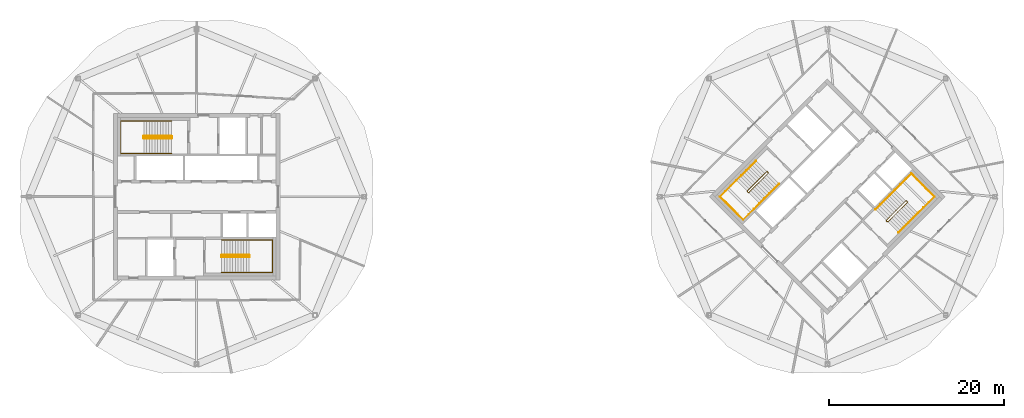
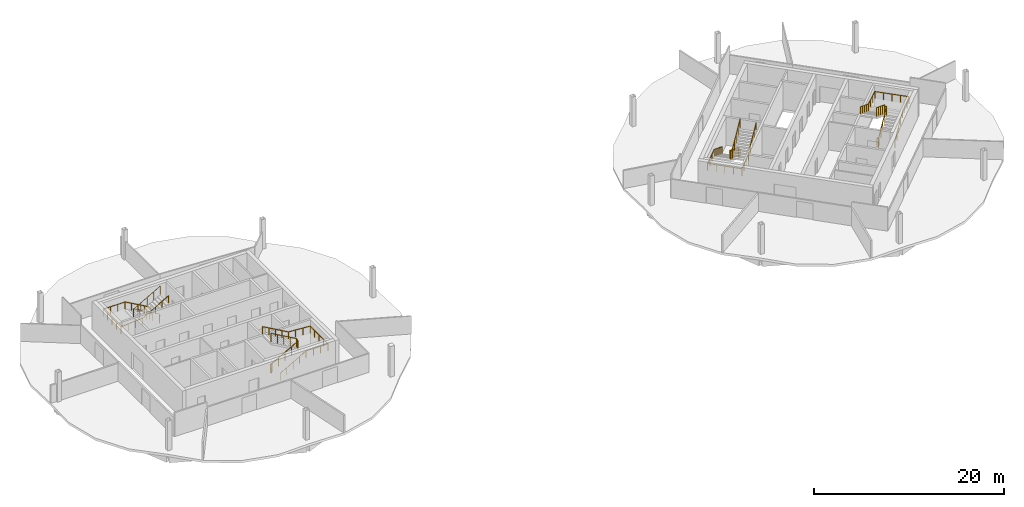
# One storey, part 10 of 10: 8 railings.
"""IFC4 building model written with IfcOpenShell, lengths in metres."""

import ifcopenshell
import ifcopenshell.guid

model = None  # the IFC model being written
_history = None  # IfcOwnerHistory: only IFC2X3 demands one
_inside = {}  # id of a spatial element -> (the spatial element, [elements in it])
_under = {}  # id of a project, library or spatial element -> (it, [spatial elements below it])
_declared = {}  # id of a project -> (the project, [libraries it declares])
_typed = {}  # id of a type object -> (the type object, [elements of that type])
_made_of = {}  # id of a material, layer set ... -> (it, [elements and type objects made of it])


def new_model(schema):
    """Start an empty IFC model of exactly this schema.

    Asked for "IFC4X3", IfcOpenShell would pick the latest addendum, in which some entities
    have other attributes; the version numbers below select the first issue.
    IFC2X3 requires an IfcOwnerHistory on every rooted entity: one is made here for all.
    """
    global model, _history
    if schema == "IFC4X3":
        model = ifcopenshell.file(schema_version=(4, 3, 0, 0))
    else:
        model = ifcopenshell.file(schema=schema)
    _inside.clear()
    _under.clear()
    _declared.clear()
    _typed.clear()
    _made_of.clear()
    _history = None
    if model.schema == "IFC2X3":
        org = make("IfcOrganization", Name="unknown")
        user = make(
            "IfcPersonAndOrganization",
            ThePerson=make("IfcPerson", FamilyName="unknown"),
            TheOrganization=org,
        )
        app = make(
            "IfcApplication",
            ApplicationDeveloper=org,
            Version="unknown",
            ApplicationFullName="unknown",
            ApplicationIdentifier="unknown",
        )
        _history = make(
            "IfcOwnerHistory",
            OwningUser=user,
            OwningApplication=app,
            ChangeAction="ADDED",
            CreationDate=0,
        )
    return model


def make(cls, **values):
    """One entity of the class cls with the attributes given. An attribute that is None is left unset."""
    return model.create_entity(
        cls, **{name: value for name, value in values.items() if value is not None}
    )


def rooted(cls, **values):
    """An entity with a GlobalId (a new one), such as an element, a storey or a relation."""
    return make(cls, GlobalId=ifcopenshell.guid.new(), OwnerHistory=_history, **values)


def si_unit(unit_type, name, prefix=None):
    """IfcSIUnit, for example si_unit("LENGTHUNIT", "METRE", prefix="MILLI")."""
    return make("IfcSIUnit", UnitType=unit_type, Prefix=prefix, Name=name)


def assignment(units):
    """IfcUnitAssignment: the units of a project."""
    return None if units is None else make("IfcUnitAssignment", Units=units)


def point(xyz):
    """IfcCartesianPoint."""
    return None if xyz is None else make("IfcCartesianPoint", Coordinates=xyz)


def direction(xyz):
    """IfcDirection."""
    return None if xyz is None else make("IfcDirection", DirectionRatios=xyz)


def frame(location, z_axis=None, x_axis=None):
    """IfcAxis2Placement3D, a coordinate frame: its origin and axes. An axis left out is left unset."""
    return make(
        "IfcAxis2Placement3D",
        Location=point(location),
        Axis=direction(z_axis),
        RefDirection=direction(x_axis),
    )


def frame_2d(location, x_axis=None):
    """IfcAxis2Placement2D, a coordinate frame in the plane: its origin and x axis."""
    return make(
        "IfcAxis2Placement2D", Location=point(location), RefDirection=direction(x_axis)
    )


def origin():
    """The frame at (0, 0, 0) with its axes left unset."""
    return frame((0.0, 0.0, 0.0))


def origin_2d():
    """The frame at (0, 0) in the plane with its x axis left unset."""
    return frame_2d((0.0, 0.0))


def place(relative_to, where):
    """IfcLocalPlacement: puts the frame where relative to a parent placement (None: the world)."""
    return make(
        "IfcLocalPlacement", PlacementRelTo=relative_to, RelativePlacement=where
    )


def context(
    kind, dimensions, precision=None, world=None, true_north=None, identifier=None
):
    """IfcGeometricRepresentationContext, for example the 3D "Model" context."""
    return make(
        "IfcGeometricRepresentationContext",
        ContextIdentifier=identifier,
        ContextType=kind,
        CoordinateSpaceDimension=dimensions,
        Precision=precision,
        WorldCoordinateSystem=world,
        TrueNorth=true_north,
    )


def subcontext(parent, identifier, kind, view, scale=None):
    """IfcGeometricRepresentationSubContext, for example "Body" below "Model"."""
    return make(
        "IfcGeometricRepresentationSubContext",
        ContextIdentifier=identifier,
        ContextType=kind,
        ParentContext=parent,
        TargetScale=scale,
        TargetView=view,
    )


def project(units=None, contexts=None):
    """IfcProject with its units and contexts."""
    return rooted(
        "IfcProject",
        Name="project",
        RepresentationContexts=contexts,
        UnitsInContext=assignment(units),
    )


def spatial(cls, under=None, at=None, **own):
    """A site, building, storey or space (cls), placed at a placement, below another one or the project."""
    s = rooted(cls, ObjectPlacement=at, **own)
    if under is not None:
        _under.setdefault(under.id(), (under, []))[1].append(s)
    return s


def profile(cls, at=None, kind="AREA", **sizes):
    """A parametric profile (cls). Its sizes go by their IFC names, for example OverallWidth=200.0."""
    return make(cls, ProfileType=kind, Position=at, **sizes)


def circle(**sizes):
    """IfcCircleProfileDef."""
    return profile("IfcCircleProfileDef", **sizes)


def extrude(swept, where, along, depth):
    """IfcExtrudedAreaSolid: the profile swept, set in the frame where, extruded along a direction by depth."""
    return make(
        "IfcExtrudedAreaSolid",
        SweptArea=swept,
        Position=where,
        ExtrudedDirection=direction(along),
        Depth=depth,
    )


def shape(context_of_items, identifier, shape_type, items):
    """IfcShapeRepresentation: the items that make up one representation, for example the "Body"."""
    return make(
        "IfcShapeRepresentation",
        ContextOfItems=context_of_items,
        RepresentationIdentifier=identifier,
        RepresentationType=shape_type,
        Items=items,
    )


def material(Name=None, Category=None):
    """IfcMaterial."""
    return make("IfcMaterial", Name=Name, Category=Category)


def made_of(thing, what):
    """Note that an element or type object is made of a material, layer set ...; save() writes the relation."""
    if what is not None:
        _made_of.setdefault(what.id(), (what, []))[1].append(thing)
    return thing


def type_object(cls, material=None, **own):
    """A type object (cls), such as IfcWallType, which elements share."""
    return made_of(rooted(cls, **own), material)


def element(
    cls,
    number,
    at=None,
    inside=None,
    cuts=None,
    type_object=None,
    material=None,
    context=None,
    identifier="Body",
    shape_type=None,
    held_by="IfcProductDefinitionShape",
    body=None,
    shapes=None,
    **own,
):
    """One element of the class cls, such as IfcWall. Its Tag is "e" and its number.

    at: its placement. inside: the storey or other place that contains it. cuts: it is an
    opening in that element (IfcRelVoidsElement). A single representation is given by context,
    identifier, shape_type and body (its items); several are given by shapes. held_by: the class
    of the entity that holds the representations. save() writes the other relations.
    """
    e = rooted(cls, Tag="e%d" % number, ObjectPlacement=at, **own)
    if body is not None:
        shapes = [shape(context, identifier, shape_type, body)]
    if shapes is not None:
        e.Representation = make(held_by, Representations=shapes)
    if inside is not None:
        _inside.setdefault(inside.id(), (inside, []))[1].append(e)
    if cuts is not None:
        rooted(
            "IfcRelVoidsElement", RelatingBuildingElement=cuts, RelatedOpeningElement=e
        )
    if type_object is not None:
        _typed.setdefault(type_object.id(), (type_object, []))[1].append(e)
    return made_of(e, material)


def aggregate(whole, parts):
    """IfcRelAggregates: a whole, such as a stair, and the parts it consists of."""
    return rooted("IfcRelAggregates", RelatingObject=whole, RelatedObjects=parts)


def save(model, path):
    """Write the relations noted so far, then the file.

    IfcRelAggregates (storeys below a building ...), IfcRelContainedInSpatialStructure (elements
    in a storey), IfcRelDefinesByType, IfcRelAssociatesMaterial and IfcRelDeclares: one each for
    every whole, place, type object, material and project.
    """
    for whole, parts in _under.values():
        aggregate(whole, parts)
    for where, things in _inside.values():
        rooted(
            "IfcRelContainedInSpatialStructure",
            RelatedElements=things,
            RelatingStructure=where,
        )
    for kind, things in _typed.values():
        rooted("IfcRelDefinesByType", RelatedObjects=things, RelatingType=kind)
    for what, things in _made_of.values():
        rooted("IfcRelAssociatesMaterial", RelatedObjects=things, RelatingMaterial=what)
    for by, libraries in _declared.values():
        rooted("IfcRelDeclares", RelatingContext=by, RelatedDefinitions=libraries)
    model.write(path)


model = new_model("IFC4")

# Units and contexts
model_context = context("Model", 3, precision=1e-05, world=origin(), true_north=direction((0.0, 1.0)))
body_context = subcontext(model_context, "Body", "Model", "MODEL_VIEW")
ifc_project = project(units=[si_unit("LENGTHUNIT", "METRE"), si_unit("AREAUNIT", "SQUARE_METRE"), si_unit("VOLUMEUNIT", "CUBIC_METRE"), si_unit("PLANEANGLEUNIT", "RADIAN"), si_unit("MASSUNIT", "GRAM", prefix="KILO")], contexts=[model_context])

# Site, building, storey
site_placement = place(None, origin())
site = spatial("IfcSite", under=ifc_project, at=site_placement, CompositionType="ELEMENT")
building_placement = place(site_placement, origin())
building = spatial("IfcBuilding", under=site, at=building_placement, Name="Ogive Gate Towers", CompositionType="ELEMENT")
storey_placement = place(building_placement, frame((0.0, 0.0, 236.699951171875)))
storey = spatial("IfcBuildingStorey", under=building, at=storey_placement, Name="L56", CompositionType="ELEMENT", Elevation=236.699951171875)

# Railings
ifc_material = material(Name="Stainless steel", Category="steel")
railing_type_1 = type_object("IfcRailingType", Name="Stair guard 1100", PredefinedType="GUARDRAIL", material=ifc_material)
railing_1_placement = place(storey_placement, frame((-38.81494140625, 6.860107421875, 0.0)))
element("IfcRailing", 1, at=railing_1_placement, inside=storey, type_object=railing_type_1, Name="L56 ST1 stair guard 1", PredefinedType="GUARDRAIL", context=body_context, shape_type="SweptSolid", body=[
    extrude(circle(Radius=0.02392578125, at=origin_2d()), frame((0.0, 0.0, 1.076171875), z_axis=(0.0, -1.0, 0.0), x_axis=(1.0, 0.0, 0.0)), (0.0, 0.0, 1.0), 0.14501953125),
    extrude(circle(Radius=0.02392578125, at=origin_2d()), frame((0.0, -0.14501953125, 1.076171875), z_axis=(-0.186679794065, 0.726685247142, 0.661119660934), x_axis=(-0.968551454522, -0.24881334358, 0.0)), (0.0, 0.0, 1.0), 0.26806640625),
    extrude(circle(Radius=0.02392578125, at=origin_2d()), frame((-0.050048828125, 0.0498046875, 1.25341796875), z_axis=(-0.870572935281, 0.0, 0.492039393094), x_axis=(0.0, -1.0, 0.0)), (0.0, 0.0, 1.0), 3.602783203125),
    extrude(circle(Radius=0.02392578125, at=origin_2d()), frame((-3.1865234375, 0.0498046875, 3.02587890625), z_axis=(-0.707106781187, -0.707106781187, 0.0), x_axis=(0.707106781187, -0.707106781187, 0.0)), (0.0, 0.0, 1.0), 0.0703125),
    extrude(circle(Radius=0.02392578125, at=origin_2d()), frame((-3.236328125, 0.0, 3.02587890625), z_axis=(0.0, -1.0, 0.0), x_axis=(1.0, 0.0, 0.0)), (0.0, 0.0, 1.0), 0.14501953125),
    extrude(circle(Radius=0.02392578125, at=origin_2d()), frame((-3.236328125, -0.14501953125, 3.02587890625), z_axis=(0.260731885961, -0.262009983441, 0.929176868105), x_axis=(0.708833529934, 0.705375805398, 0.0)), (0.0, 0.0, 1.0), 0.19091796875),
    extrude(circle(Radius=0.02392578125, at=origin_2d()), frame((-3.1865234375, -0.195068359375, 3.20361328125), z_axis=(0.870572935281, 0.0, 0.492039393094), x_axis=(0.0, 1.0, 0.0)), (0.0, 0.0, 1.0), 3.602783203125),
    extrude(circle(Radius=0.02099609375, at=origin_2d()), origin(), (0.0, 0.0, 1.0), 1.052001953125),
    extrude(circle(Radius=0.02099609375, at=origin_2d()), frame((0.0, -0.14501953125, 0.0)), (0.0, 0.0, 1.0), 1.052001953125),
    extrude(circle(Radius=0.02099609375, at=origin_2d()), frame((-0.050048828125, 0.0498046875, 0.17724609375)), (0.0, 0.0, 1.0), 1.052001953125),
    extrude(circle(Radius=0.02099609375, at=origin_2d()), frame((-0.834228515625, 0.0498046875, 0.620361328125)), (0.0, 0.0, 1.0), 1.052001953125),
    extrude(circle(Radius=0.02099609375, at=origin_2d()), frame((-1.6181640625, 0.0498046875, 1.0634765625)), (0.0, 0.0, 1.0), 1.052001953125),
    extrude(circle(Radius=0.02099609375, at=origin_2d()), frame((-2.40234375, 0.0498046875, 1.5068359375)), (0.0, 0.0, 1.0), 1.052001953125),
    extrude(circle(Radius=0.02099609375, at=origin_2d()), frame((-3.1865234375, 0.0498046875, 1.949951171875)), (0.0, 0.0, 1.0), 1.052001953125),
    extrude(circle(Radius=0.02099609375, at=origin_2d()), frame((-3.236328125, 0.0, 1.949951171875)), (0.0, 0.0, 1.0), 1.052001953125),
    extrude(circle(Radius=0.02099609375, at=origin_2d()), frame((-3.236328125, -0.14501953125, 1.949951171875)), (0.0, 0.0, 1.0), 1.052001953125),
    extrude(circle(Radius=0.02099609375, at=origin_2d()), frame((-3.1865234375, -0.195068359375, 2.12744140625)), (0.0, 0.0, 1.0), 1.052001953125),
    extrude(circle(Radius=0.02099609375, at=origin_2d()), frame((-2.40234375, -0.195068359375, 2.570556640625)), (0.0, 0.0, 1.0), 1.052001953125),
    extrude(circle(Radius=0.02099609375, at=origin_2d()), frame((-1.6181640625, -0.195068359375, 3.013671875)), (0.0, 0.0, 1.0), 1.052001953125),
    extrude(circle(Radius=0.02099609375, at=origin_2d()), frame((-0.834228515625, -0.195068359375, 3.45703125)), (0.0, 0.0, 1.0), 1.052001953125),
    extrude(circle(Radius=0.02099609375, at=origin_2d()), frame((-0.050048828125, -0.195068359375, 3.900146484375)), (0.0, 0.0, 1.0), 1.052001953125),
])
railing_2_placement = place(storey_placement, frame((-33.18505859375, -6.860107421875, 0.0)))
element("IfcRailing", 2, at=railing_2_placement, inside=storey, type_object=railing_type_1, Name="L56 ST2 stair guard 1", PredefinedType="GUARDRAIL", context=body_context, shape_type="SweptSolid", body=[
    extrude(circle(Radius=0.02392578125, at=origin_2d()), frame((0.0, 0.0, 1.076171875), z_axis=(0.0, 1.0, 0.0), x_axis=(-1.0, 0.0, 0.0)), (0.0, 0.0, 1.0), 0.14501953125),
    extrude(circle(Radius=0.02392578125, at=origin_2d()), frame((0.0, 0.14501953125, 1.076171875), z_axis=(0.186679794065, -0.726685247142, 0.661119660934), x_axis=(0.968551454522, 0.24881334358, 0.0)), (0.0, 0.0, 1.0), 0.26806640625),
    extrude(circle(Radius=0.02392578125, at=origin_2d()), frame((0.050048828125, -0.0498046875, 1.25341796875), z_axis=(0.870572935281, 0.0, 0.492039393094), x_axis=(0.0, 1.0, 0.0)), (0.0, 0.0, 1.0), 3.602783203125),
    extrude(circle(Radius=0.02392578125, at=origin_2d()), frame((3.1865234375, -0.0498046875, 3.02587890625), z_axis=(0.707106781187, 0.707106781187, 0.0), x_axis=(-0.707106781187, 0.707106781187, 0.0)), (0.0, 0.0, 1.0), 0.0703125),
    extrude(circle(Radius=0.02392578125, at=origin_2d()), frame((3.236328125, 0.0, 3.02587890625), z_axis=(0.0, 1.0, 0.0), x_axis=(-1.0, 0.0, 0.0)), (0.0, 0.0, 1.0), 0.14501953125),
    extrude(circle(Radius=0.02392578125, at=origin_2d()), frame((3.236328125, 0.14501953125, 3.02587890625), z_axis=(-0.260731885961, 0.262009983441, 0.929176868105), x_axis=(-0.708833529934, -0.705375805398, 0.0)), (0.0, 0.0, 1.0), 0.19091796875),
    extrude(circle(Radius=0.02392578125, at=origin_2d()), frame((3.1865234375, 0.195068359375, 3.20361328125), z_axis=(-0.870572935281, 0.0, 0.492039393094), x_axis=(0.0, -1.0, 0.0)), (0.0, 0.0, 1.0), 3.602783203125),
    extrude(circle(Radius=0.02099609375, at=origin_2d()), origin(), (0.0, 0.0, 1.0), 1.052001953125),
    extrude(circle(Radius=0.02099609375, at=origin_2d()), frame((0.0, 0.14501953125, 0.0)), (0.0, 0.0, 1.0), 1.052001953125),
    extrude(circle(Radius=0.02099609375, at=origin_2d()), frame((0.050048828125, -0.0498046875, 0.17724609375)), (0.0, 0.0, 1.0), 1.052001953125),
    extrude(circle(Radius=0.02099609375, at=origin_2d()), frame((0.834228515625, -0.0498046875, 0.620361328125)), (0.0, 0.0, 1.0), 1.052001953125),
    extrude(circle(Radius=0.02099609375, at=origin_2d()), frame((1.6181640625, -0.0498046875, 1.0634765625)), (0.0, 0.0, 1.0), 1.052001953125),
    extrude(circle(Radius=0.02099609375, at=origin_2d()), frame((2.40234375, -0.0498046875, 1.5068359375)), (0.0, 0.0, 1.0), 1.052001953125),
    extrude(circle(Radius=0.02099609375, at=origin_2d()), frame((3.1865234375, -0.0498046875, 1.949951171875)), (0.0, 0.0, 1.0), 1.052001953125),
    extrude(circle(Radius=0.02099609375, at=origin_2d()), frame((3.236328125, 0.0, 1.949951171875)), (0.0, 0.0, 1.0), 1.052001953125),
    extrude(circle(Radius=0.02099609375, at=origin_2d()), frame((3.236328125, 0.14501953125, 1.949951171875)), (0.0, 0.0, 1.0), 1.052001953125),
    extrude(circle(Radius=0.02099609375, at=origin_2d()), frame((3.1865234375, 0.195068359375, 2.12744140625)), (0.0, 0.0, 1.0), 1.052001953125),
    extrude(circle(Radius=0.02099609375, at=origin_2d()), frame((2.40234375, 0.195068359375, 2.570556640625)), (0.0, 0.0, 1.0), 1.052001953125),
    extrude(circle(Radius=0.02099609375, at=origin_2d()), frame((1.6181640625, 0.195068359375, 3.013671875)), (0.0, 0.0, 1.0), 1.052001953125),
    extrude(circle(Radius=0.02099609375, at=origin_2d()), frame((0.834228515625, 0.195068359375, 3.45703125)), (0.0, 0.0, 1.0), 1.052001953125),
    extrude(circle(Radius=0.02099609375, at=origin_2d()), frame((0.050048828125, 0.195068359375, 3.900146484375)), (0.0, 0.0, 1.0), 1.052001953125),
])
railing_3_placement = place(storey_placement, frame((29.15869140625, 2.8603515625, 0.0)))
element("IfcRailing", 3, at=railing_3_placement, inside=storey, type_object=railing_type_1, Name="L56 ST1 stair guard 1", PredefinedType="GUARDRAIL", context=body_context, shape_type="SweptSolid", body=[
    extrude(circle(Radius=0.02392578125, at=origin_2d()), frame((0.0, 0.0, 1.076171875), z_axis=(0.707106781187, -0.707106781187, 0.0), x_axis=(0.707106781187, 0.707106781187, 0.0)), (0.0, 0.0, 1.0), 0.14501953125),
    extrude(circle(Radius=0.02392578125, at=origin_2d()), frame((0.1025390625, -0.1025390625, 1.076171875), z_axis=(-0.645571447971, 0.382425963537, 0.661050594114), x_axis=(-0.509669330572, -0.860370369942, 0.0)), (0.0, 0.0, 1.0), 0.26806640625),
    extrude(circle(Radius=0.02392578125, at=origin_2d()), frame((-0.070556640625, 0.0, 1.25341796875), z_axis=(-0.61558473135, -0.61558473135, 0.49204763698), x_axis=(0.707106781187, -0.707106781187, 0.0)), (0.0, 0.0, 1.0), 3.602783203125),
    extrude(circle(Radius=0.02392578125, at=origin_2d()), frame((-2.288330078125, -2.2177734375, 3.02587890625), z_axis=(0.0, -1.0, 0.0), x_axis=(1.0, 0.0, 0.0)), (0.0, 0.0, 1.0), 0.07080078125),
    extrude(circle(Radius=0.02392578125, at=origin_2d()), frame((-2.288330078125, -2.28857421875, 3.02587890625), z_axis=(0.707106781187, -0.707106781187, 0.0), x_axis=(0.707106781187, 0.707106781187, 0.0)), (0.0, 0.0, 1.0), 0.14501953125),
    extrude(circle(Radius=0.02392578125, at=origin_2d()), frame((-2.185791015625, -2.39111328125, 3.02587890625), z_axis=(0.369406379806, 0.0, 0.92926795197), x_axis=(0.0, 1.0, 0.0)), (0.0, 0.0, 1.0), 0.19091796875),
    extrude(circle(Radius=0.02392578125, at=origin_2d()), frame((-2.115234375, -2.39111328125, 3.20361328125), z_axis=(0.61558473135, 0.61558473135, 0.49204763698), x_axis=(-0.707106781187, 0.707106781187, 0.0)), (0.0, 0.0, 1.0), 3.602783203125),
    extrude(circle(Radius=0.02099609375, at=origin_2d()), origin(), (0.0, 0.0, 1.0), 1.052001953125),
    extrude(circle(Radius=0.02099609375, at=origin_2d()), frame((0.1025390625, -0.1025390625, 0.0)), (0.0, 0.0, 1.0), 1.052001953125),
    extrude(circle(Radius=0.02099609375, at=origin_2d()), frame((-0.070556640625, 0.0, 0.17724609375)), (0.0, 0.0, 1.0), 1.052001953125),
    extrude(circle(Radius=0.02099609375, at=origin_2d()), frame((-0.625, -0.554443359375, 0.620361328125)), (0.0, 0.0, 1.0), 1.052001953125),
    extrude(circle(Radius=0.02099609375, at=origin_2d()), frame((-1.179443359375, -1.10888671875, 1.0634765625)), (0.0, 0.0, 1.0), 1.052001953125),
    extrude(circle(Radius=0.02099609375, at=origin_2d()), frame((-1.73388671875, -1.663330078125, 1.5068359375)), (0.0, 0.0, 1.0), 1.052001953125),
    extrude(circle(Radius=0.02099609375, at=origin_2d()), frame((-2.288330078125, -2.2177734375, 1.949951171875)), (0.0, 0.0, 1.0), 1.052001953125),
    extrude(circle(Radius=0.02099609375, at=origin_2d()), frame((-2.288330078125, -2.28857421875, 1.949951171875)), (0.0, 0.0, 1.0), 1.052001953125),
    extrude(circle(Radius=0.02099609375, at=origin_2d()), frame((-2.185791015625, -2.39111328125, 1.949951171875)), (0.0, 0.0, 1.0), 1.052001953125),
    extrude(circle(Radius=0.02099609375, at=origin_2d()), frame((-2.115234375, -2.39111328125, 2.12744140625)), (0.0, 0.0, 1.0), 1.052001953125),
    extrude(circle(Radius=0.02099609375, at=origin_2d()), frame((-1.560791015625, -1.836669921875, 2.570556640625)), (0.0, 0.0, 1.0), 1.052001953125),
    extrude(circle(Radius=0.02099609375, at=origin_2d()), frame((-1.00634765625, -1.2822265625, 3.013671875)), (0.0, 0.0, 1.0), 1.052001953125),
    extrude(circle(Radius=0.02099609375, at=origin_2d()), frame((-0.451904296875, -0.727783203125, 3.45703125)), (0.0, 0.0, 1.0), 1.052001953125),
    extrude(circle(Radius=0.02099609375, at=origin_2d()), frame((0.1025390625, -0.17333984375, 3.900146484375)), (0.0, 0.0, 1.0), 1.052001953125),
])
railing_4_placement = place(storey_placement, frame((42.84130859375, -2.8603515625, 0.0)))
element("IfcRailing", 4, at=railing_4_placement, inside=storey, type_object=railing_type_1, Name="L56 ST2 stair guard 1", PredefinedType="GUARDRAIL", context=body_context, shape_type="SweptSolid", body=[
    extrude(circle(Radius=0.02392578125, at=origin_2d()), frame((0.0, 0.0, 1.076171875), z_axis=(-0.707106781187, 0.707106781187, 0.0), x_axis=(-0.707106781187, -0.707106781187, 0.0)), (0.0, 0.0, 1.0), 0.14501953125),
    extrude(circle(Radius=0.02392578125, at=origin_2d()), frame((-0.1025390625, 0.1025390625, 1.076171875), z_axis=(0.645571447971, -0.382425963537, 0.661050594114), x_axis=(0.509669330572, 0.860370369942, 0.0)), (0.0, 0.0, 1.0), 0.26806640625),
    extrude(circle(Radius=0.02392578125, at=origin_2d()), frame((0.070556640625, 0.0, 1.25341796875), z_axis=(0.61558473135, 0.61558473135, 0.49204763698), x_axis=(-0.707106781187, 0.707106781187, 0.0)), (0.0, 0.0, 1.0), 3.602783203125),
    extrude(circle(Radius=0.02392578125, at=origin_2d()), frame((2.288330078125, 2.2177734375, 3.02587890625), z_axis=(0.0, 1.0, 0.0), x_axis=(-1.0, 0.0, 0.0)), (0.0, 0.0, 1.0), 0.07080078125),
    extrude(circle(Radius=0.02392578125, at=origin_2d()), frame((2.288330078125, 2.28857421875, 3.02587890625), z_axis=(-0.707106781187, 0.707106781187, 0.0), x_axis=(-0.707106781187, -0.707106781187, 0.0)), (0.0, 0.0, 1.0), 0.14501953125),
    extrude(circle(Radius=0.02392578125, at=origin_2d()), frame((2.185791015625, 2.39111328125, 3.02587890625), z_axis=(-0.369406379806, 0.0, 0.92926795197), x_axis=(0.0, -1.0, 0.0)), (0.0, 0.0, 1.0), 0.19091796875),
    extrude(circle(Radius=0.02392578125, at=origin_2d()), frame((2.115234375, 2.39111328125, 3.20361328125), z_axis=(-0.61558473135, -0.61558473135, 0.49204763698), x_axis=(0.707106781187, -0.707106781187, 0.0)), (0.0, 0.0, 1.0), 3.602783203125),
    extrude(circle(Radius=0.02099609375, at=origin_2d()), origin(), (0.0, 0.0, 1.0), 1.052001953125),
    extrude(circle(Radius=0.02099609375, at=origin_2d()), frame((-0.1025390625, 0.1025390625, 0.0)), (0.0, 0.0, 1.0), 1.052001953125),
    extrude(circle(Radius=0.02099609375, at=origin_2d()), frame((0.070556640625, 0.0, 0.17724609375)), (0.0, 0.0, 1.0), 1.052001953125),
    extrude(circle(Radius=0.02099609375, at=origin_2d()), frame((0.625, 0.554443359375, 0.620361328125)), (0.0, 0.0, 1.0), 1.052001953125),
    extrude(circle(Radius=0.02099609375, at=origin_2d()), frame((1.179443359375, 1.10888671875, 1.0634765625)), (0.0, 0.0, 1.0), 1.052001953125),
    extrude(circle(Radius=0.02099609375, at=origin_2d()), frame((1.73388671875, 1.663330078125, 1.5068359375)), (0.0, 0.0, 1.0), 1.052001953125),
    extrude(circle(Radius=0.02099609375, at=origin_2d()), frame((2.288330078125, 2.2177734375, 1.949951171875)), (0.0, 0.0, 1.0), 1.052001953125),
    extrude(circle(Radius=0.02099609375, at=origin_2d()), frame((2.288330078125, 2.28857421875, 1.949951171875)), (0.0, 0.0, 1.0), 1.052001953125),
    extrude(circle(Radius=0.02099609375, at=origin_2d()), frame((2.185791015625, 2.39111328125, 1.949951171875)), (0.0, 0.0, 1.0), 1.052001953125),
    extrude(circle(Radius=0.02099609375, at=origin_2d()), frame((2.115234375, 2.39111328125, 2.12744140625)), (0.0, 0.0, 1.0), 1.052001953125),
    extrude(circle(Radius=0.02099609375, at=origin_2d()), frame((1.560791015625, 1.836669921875, 2.570556640625)), (0.0, 0.0, 1.0), 1.052001953125),
    extrude(circle(Radius=0.02099609375, at=origin_2d()), frame((1.00634765625, 1.2822265625, 3.013671875)), (0.0, 0.0, 1.0), 1.052001953125),
    extrude(circle(Radius=0.02099609375, at=origin_2d()), frame((0.451904296875, 0.727783203125, 3.45703125)), (0.0, 0.0, 1.0), 1.052001953125),
    extrude(circle(Radius=0.02099609375, at=origin_2d()), frame((-0.1025390625, 0.17333984375, 3.900146484375)), (0.0, 0.0, 1.0), 1.052001953125),
])
railing_type_2 = type_object("IfcRailingType", Name="Stair handrail 900", PredefinedType="HANDRAIL", material=ifc_material)
railing_5_placement = place(storey_placement, frame((-38.864990234375, 8.64990234375, 0.17724609375)))
element("IfcRailing", 5, at=railing_5_placement, inside=storey, type_object=railing_type_2, Name="L56 ST1 stair handrail 1", PredefinedType="HANDRAIL", context=body_context, shape_type="SweptSolid", body=[
    extrude(circle(Radius=0.02392578125, at=origin_2d()), frame((0.0, 0.0, 0.8759765625), z_axis=(-0.870572935281, 0.0, 0.492039393094), x_axis=(0.0, -1.0, 0.0)), (0.0, 0.0, 1.0), 3.602783203125),
    extrude(circle(Radius=0.02392578125, at=origin_2d()), frame((-3.136474609375, 0.0, 2.6484375), z_axis=(-1.0, 0.0, 0.0), x_axis=(0.0, -1.0, 0.0)), (0.0, 0.0, 1.0), 2.6484375),
    extrude(circle(Radius=0.02392578125, at=origin_2d()), frame((-5.784912109375, 0.0, 2.6484375), z_axis=(0.0, -1.0, 0.0), x_axis=(1.0, 0.0, 0.0)), (0.0, 0.0, 1.0), 3.724853515625),
    extrude(circle(Radius=0.02392578125, at=origin_2d()), frame((-5.784912109375, -3.724853515625, 2.6484375), z_axis=(0.997761899551, 0.0, 0.06686697096), x_axis=(0.0, 1.0, 0.0)), (0.0, 0.0, 1.0), 2.654296875),
    extrude(circle(Radius=0.02392578125, at=origin_2d()), frame((-3.136474609375, -3.724853515625, 2.826171875), z_axis=(0.870572935281, 0.0, 0.492039393094), x_axis=(0.0, 1.0, 0.0)), (0.0, 0.0, 1.0), 3.602783203125),
    extrude(circle(Radius=0.02099609375, at=origin_2d()), origin(), (0.0, 0.0, 1.0), 0.851806640625),
    extrude(circle(Radius=0.02099609375, at=origin_2d()), frame((-0.7841796875, 0.0, 0.443115234375)), (0.0, 0.0, 1.0), 0.851806640625),
    extrude(circle(Radius=0.02099609375, at=origin_2d()), frame((-1.568359375, 0.0, 0.88623046875)), (0.0, 0.0, 1.0), 0.851806640625),
    extrude(circle(Radius=0.02099609375, at=origin_2d()), frame((-2.352294921875, 0.0, 1.32958984375)), (0.0, 0.0, 1.0), 0.851806640625),
    extrude(circle(Radius=0.02099609375, at=origin_2d()), frame((-3.136474609375, 0.0, 1.772705078125)), (0.0, 0.0, 1.0), 0.851806640625),
    extrude(circle(Radius=0.02099609375, at=origin_2d()), frame((-4.019287109375, 0.0, 1.772705078125)), (0.0, 0.0, 1.0), 0.851806640625),
    extrude(circle(Radius=0.02099609375, at=origin_2d()), frame((-4.902099609375, 0.0, 1.772705078125)), (0.0, 0.0, 1.0), 0.851806640625),
    extrude(circle(Radius=0.02099609375, at=origin_2d()), frame((-5.784912109375, 0.0, 1.772705078125)), (0.0, 0.0, 1.0), 0.851806640625),
    extrude(circle(Radius=0.02099609375, at=origin_2d()), frame((-5.784912109375, -0.93115234375, 1.772705078125)), (0.0, 0.0, 1.0), 0.851806640625),
    extrude(circle(Radius=0.02099609375, at=origin_2d()), frame((-5.784912109375, -1.8623046875, 1.772705078125)), (0.0, 0.0, 1.0), 0.851806640625),
    extrude(circle(Radius=0.02099609375, at=origin_2d()), frame((-5.784912109375, -2.793701171875, 1.772705078125)), (0.0, 0.0, 1.0), 0.851806640625),
    extrude(circle(Radius=0.02099609375, at=origin_2d()), frame((-5.784912109375, -3.724853515625, 1.772705078125)), (0.0, 0.0, 1.0), 0.851806640625),
    extrude(circle(Radius=0.02099609375, at=origin_2d()), frame((-4.902099609375, -3.724853515625, 1.831787109375)), (0.0, 0.0, 1.0), 0.851806640625),
    extrude(circle(Radius=0.02099609375, at=origin_2d()), frame((-4.019287109375, -3.724853515625, 1.89111328125)), (0.0, 0.0, 1.0), 0.851806640625),
    extrude(circle(Radius=0.02099609375, at=origin_2d()), frame((-3.136474609375, -3.724853515625, 1.9501953125)), (0.0, 0.0, 1.0), 0.851806640625),
    extrude(circle(Radius=0.02099609375, at=origin_2d()), frame((-2.352294921875, -3.724853515625, 2.393310546875)), (0.0, 0.0, 1.0), 0.851806640625),
    extrude(circle(Radius=0.02099609375, at=origin_2d()), frame((-1.568359375, -3.724853515625, 2.83642578125)), (0.0, 0.0, 1.0), 0.851806640625),
    extrude(circle(Radius=0.02099609375, at=origin_2d()), frame((-0.7841796875, -3.724853515625, 3.27978515625)), (0.0, 0.0, 1.0), 0.851806640625),
    extrude(circle(Radius=0.02099609375, at=origin_2d()), frame((0.0, -3.724853515625, 3.722900390625)), (0.0, 0.0, 1.0), 0.851806640625),
])
railing_6_placement = place(storey_placement, frame((-33.135009765625, -8.64990234375, 0.17724609375)))
element("IfcRailing", 6, at=railing_6_placement, inside=storey, type_object=railing_type_2, Name="L56 ST2 stair handrail 1", PredefinedType="HANDRAIL", context=body_context, shape_type="SweptSolid", body=[
    extrude(circle(Radius=0.02392578125, at=origin_2d()), frame((0.0, 0.0, 0.8759765625), z_axis=(0.870572935281, 0.0, 0.492039393094), x_axis=(0.0, 1.0, 0.0)), (0.0, 0.0, 1.0), 3.602783203125),
    extrude(circle(Radius=0.02392578125, at=origin_2d()), frame((3.136474609375, 0.0, 2.6484375), z_axis=(1.0, 0.0, 0.0), x_axis=(0.0, 1.0, 0.0)), (0.0, 0.0, 1.0), 2.6484375),
    extrude(circle(Radius=0.02392578125, at=origin_2d()), frame((5.784912109375, 0.0, 2.6484375), z_axis=(0.0, 1.0, 0.0), x_axis=(-1.0, 0.0, 0.0)), (0.0, 0.0, 1.0), 3.724853515625),
    extrude(circle(Radius=0.02392578125, at=origin_2d()), frame((5.784912109375, 3.724853515625, 2.6484375), z_axis=(-0.997761899551, 0.0, 0.06686697096), x_axis=(0.0, -1.0, 0.0)), (0.0, 0.0, 1.0), 2.654296875),
    extrude(circle(Radius=0.02392578125, at=origin_2d()), frame((3.136474609375, 3.724853515625, 2.826171875), z_axis=(-0.870572935281, 0.0, 0.492039393094), x_axis=(0.0, -1.0, 0.0)), (0.0, 0.0, 1.0), 3.602783203125),
    extrude(circle(Radius=0.02099609375, at=origin_2d()), origin(), (0.0, 0.0, 1.0), 0.851806640625),
    extrude(circle(Radius=0.02099609375, at=origin_2d()), frame((0.7841796875, 0.0, 0.443115234375)), (0.0, 0.0, 1.0), 0.851806640625),
    extrude(circle(Radius=0.02099609375, at=origin_2d()), frame((1.568359375, 0.0, 0.88623046875)), (0.0, 0.0, 1.0), 0.851806640625),
    extrude(circle(Radius=0.02099609375, at=origin_2d()), frame((2.352294921875, 0.0, 1.32958984375)), (0.0, 0.0, 1.0), 0.851806640625),
    extrude(circle(Radius=0.02099609375, at=origin_2d()), frame((3.136474609375, 0.0, 1.772705078125)), (0.0, 0.0, 1.0), 0.851806640625),
    extrude(circle(Radius=0.02099609375, at=origin_2d()), frame((4.019287109375, 0.0, 1.772705078125)), (0.0, 0.0, 1.0), 0.851806640625),
    extrude(circle(Radius=0.02099609375, at=origin_2d()), frame((4.902099609375, 0.0, 1.772705078125)), (0.0, 0.0, 1.0), 0.851806640625),
    extrude(circle(Radius=0.02099609375, at=origin_2d()), frame((5.784912109375, 0.0, 1.772705078125)), (0.0, 0.0, 1.0), 0.851806640625),
    extrude(circle(Radius=0.02099609375, at=origin_2d()), frame((5.784912109375, 0.93115234375, 1.772705078125)), (0.0, 0.0, 1.0), 0.851806640625),
    extrude(circle(Radius=0.02099609375, at=origin_2d()), frame((5.784912109375, 1.8623046875, 1.772705078125)), (0.0, 0.0, 1.0), 0.851806640625),
    extrude(circle(Radius=0.02099609375, at=origin_2d()), frame((5.784912109375, 2.793701171875, 1.772705078125)), (0.0, 0.0, 1.0), 0.851806640625),
    extrude(circle(Radius=0.02099609375, at=origin_2d()), frame((5.784912109375, 3.724853515625, 1.772705078125)), (0.0, 0.0, 1.0), 0.851806640625),
    extrude(circle(Radius=0.02099609375, at=origin_2d()), frame((4.902099609375, 3.724853515625, 1.831787109375)), (0.0, 0.0, 1.0), 0.851806640625),
    extrude(circle(Radius=0.02099609375, at=origin_2d()), frame((4.019287109375, 3.724853515625, 1.89111328125)), (0.0, 0.0, 1.0), 0.851806640625),
    extrude(circle(Radius=0.02099609375, at=origin_2d()), frame((3.136474609375, 3.724853515625, 1.9501953125)), (0.0, 0.0, 1.0), 0.851806640625),
    extrude(circle(Radius=0.02099609375, at=origin_2d()), frame((2.352294921875, 3.724853515625, 2.393310546875)), (0.0, 0.0, 1.0), 0.851806640625),
    extrude(circle(Radius=0.02099609375, at=origin_2d()), frame((1.568359375, 3.724853515625, 2.83642578125)), (0.0, 0.0, 1.0), 0.851806640625),
    extrude(circle(Radius=0.02099609375, at=origin_2d()), frame((0.7841796875, 3.724853515625, 3.27978515625)), (0.0, 0.0, 1.0), 0.851806640625),
    extrude(circle(Radius=0.02099609375, at=origin_2d()), frame((0.0, 3.724853515625, 3.722900390625)), (0.0, 0.0, 1.0), 0.851806640625),
])
railing_7_placement = place(storey_placement, frame((27.857666015625, 4.090576171875, 0.17724609375)))
element("IfcRailing", 7, at=railing_7_placement, inside=storey, type_object=railing_type_2, Name="L56 ST1 stair handrail 1", PredefinedType="HANDRAIL", context=body_context, shape_type="SweptSolid", body=[
    extrude(circle(Radius=0.02392578125, at=origin_2d()), frame((0.0, 0.0, 0.8759765625), z_axis=(-0.61558473135, -0.61558473135, 0.49204763698), x_axis=(0.707106781187, -0.707106781187, 0.0)), (0.0, 0.0, 1.0), 3.602783203125),
    extrude(circle(Radius=0.02392578125, at=origin_2d()), frame((-2.2177734375, -2.2177734375, 2.6484375), z_axis=(-0.707106781187, -0.707106781187, 0.0), x_axis=(0.707106781187, -0.707106781187, 0.0)), (0.0, 0.0, 1.0), 2.6484375),
    extrude(circle(Radius=0.02392578125, at=origin_2d()), frame((-4.090576171875, -4.090576171875, 2.6484375), z_axis=(0.707106781187, -0.707106781187, 0.0), x_axis=(0.707106781187, 0.707106781187, 0.0)), (0.0, 0.0, 1.0), 3.72509765625),
    extrude(circle(Radius=0.02392578125, at=origin_2d()), frame((-1.45654296875, -6.724609375, 2.6484375), z_axis=(0.705478551472, 0.705570518432, 0.066859980044), x_axis=(-0.70715286629, 0.70706069308, 0.0)), (0.0, 0.0, 1.0), 2.654541015625),
    extrude(circle(Radius=0.02392578125, at=origin_2d()), frame((0.416259765625, -4.8515625, 2.826171875), z_axis=(0.615610411033, 0.615542642384, 0.4920681632), x_axis=(-0.70706785752, 0.70714570271, 0.0)), (0.0, 0.0, 1.0), 3.6025390625),
    extrude(circle(Radius=0.02099609375, at=origin_2d()), origin(), (0.0, 0.0, 1.0), 0.851806640625),
    extrude(circle(Radius=0.02099609375, at=origin_2d()), frame((-0.554443359375, -0.554443359375, 0.443115234375)), (0.0, 0.0, 1.0), 0.851806640625),
    extrude(circle(Radius=0.02099609375, at=origin_2d()), frame((-1.10888671875, -1.10888671875, 0.88623046875)), (0.0, 0.0, 1.0), 0.851806640625),
    extrude(circle(Radius=0.02099609375, at=origin_2d()), frame((-1.663330078125, -1.663330078125, 1.32958984375)), (0.0, 0.0, 1.0), 0.851806640625),
    extrude(circle(Radius=0.02099609375, at=origin_2d()), frame((-2.2177734375, -2.2177734375, 1.772705078125)), (0.0, 0.0, 1.0), 0.851806640625),
    extrude(circle(Radius=0.02099609375, at=origin_2d()), frame((-2.842041015625, -2.842041015625, 1.772705078125)), (0.0, 0.0, 1.0), 0.851806640625),
    extrude(circle(Radius=0.02099609375, at=origin_2d()), frame((-3.46630859375, -3.46630859375, 1.772705078125)), (0.0, 0.0, 1.0), 0.851806640625),
    extrude(circle(Radius=0.02099609375, at=origin_2d()), frame((-4.090576171875, -4.090576171875, 1.772705078125)), (0.0, 0.0, 1.0), 0.851806640625),
    extrude(circle(Radius=0.02099609375, at=origin_2d()), frame((-3.43212890625, -4.7490234375, 1.772705078125)), (0.0, 0.0, 1.0), 0.851806640625),
    extrude(circle(Radius=0.02099609375, at=origin_2d()), frame((-2.7734375, -5.40771484375, 1.772705078125)), (0.0, 0.0, 1.0), 0.851806640625),
    extrude(circle(Radius=0.02099609375, at=origin_2d()), frame((-2.114990234375, -6.066162109375, 1.772705078125)), (0.0, 0.0, 1.0), 0.851806640625),
    extrude(circle(Radius=0.02099609375, at=origin_2d()), frame((-1.45654296875, -6.724609375, 1.772705078125)), (0.0, 0.0, 1.0), 0.851806640625),
    extrude(circle(Radius=0.02099609375, at=origin_2d()), frame((-0.832275390625, -6.100341796875, 1.831787109375)), (0.0, 0.0, 1.0), 0.851806640625),
    extrude(circle(Radius=0.02099609375, at=origin_2d()), frame((-0.2080078125, -5.475830078125, 1.89111328125)), (0.0, 0.0, 1.0), 0.851806640625),
    extrude(circle(Radius=0.02099609375, at=origin_2d()), frame((0.416259765625, -4.8515625, 1.9501953125)), (0.0, 0.0, 1.0), 0.851806640625),
    extrude(circle(Radius=0.02099609375, at=origin_2d()), frame((0.970703125, -4.297119140625, 2.393310546875)), (0.0, 0.0, 1.0), 0.851806640625),
    extrude(circle(Radius=0.02099609375, at=origin_2d()), frame((1.525146484375, -3.74267578125, 2.83642578125)), (0.0, 0.0, 1.0), 0.851806640625),
    extrude(circle(Radius=0.02099609375, at=origin_2d()), frame((2.07958984375, -3.1884765625, 3.27978515625)), (0.0, 0.0, 1.0), 0.851806640625),
    extrude(circle(Radius=0.02099609375, at=origin_2d()), frame((2.634033203125, -2.634033203125, 3.722900390625)), (0.0, 0.0, 1.0), 0.851806640625),
])
railing_8_placement = place(storey_placement, frame((44.142333984375, -4.090576171875, 0.17724609375)))
element("IfcRailing", 8, at=railing_8_placement, inside=storey, type_object=railing_type_2, Name="L56 ST2 stair handrail 1", PredefinedType="HANDRAIL", context=body_context, shape_type="SweptSolid", body=[
    extrude(circle(Radius=0.02392578125, at=origin_2d()), frame((0.0, 0.0, 0.8759765625), z_axis=(0.61558473135, 0.61558473135, 0.49204763698), x_axis=(-0.707106781187, 0.707106781187, 0.0)), (0.0, 0.0, 1.0), 3.602783203125),
    extrude(circle(Radius=0.02392578125, at=origin_2d()), frame((2.2177734375, 2.2177734375, 2.6484375), z_axis=(0.707106781187, 0.707106781187, 0.0), x_axis=(-0.707106781187, 0.707106781187, 0.0)), (0.0, 0.0, 1.0), 2.6484375),
    extrude(circle(Radius=0.02392578125, at=origin_2d()), frame((4.090576171875, 4.090576171875, 2.6484375), z_axis=(-0.707106781187, 0.707106781187, 0.0), x_axis=(-0.707106781187, -0.707106781187, 0.0)), (0.0, 0.0, 1.0), 3.72509765625),
    extrude(circle(Radius=0.02392578125, at=origin_2d()), frame((1.45654296875, 6.724609375, 2.6484375), z_axis=(-0.705478551472, -0.705570518432, 0.066859980044), x_axis=(0.70715286629, -0.70706069308, 0.0)), (0.0, 0.0, 1.0), 2.654541015625),
    extrude(circle(Radius=0.02392578125, at=origin_2d()), frame((-0.416259765625, 4.8515625, 2.826171875), z_axis=(-0.615610411033, -0.615542642384, 0.4920681632), x_axis=(0.70706785752, -0.70714570271, 0.0)), (0.0, 0.0, 1.0), 3.6025390625),
    extrude(circle(Radius=0.02099609375, at=origin_2d()), origin(), (0.0, 0.0, 1.0), 0.851806640625),
    extrude(circle(Radius=0.02099609375, at=origin_2d()), frame((0.554443359375, 0.554443359375, 0.443115234375)), (0.0, 0.0, 1.0), 0.851806640625),
    extrude(circle(Radius=0.02099609375, at=origin_2d()), frame((1.10888671875, 1.10888671875, 0.88623046875)), (0.0, 0.0, 1.0), 0.851806640625),
    extrude(circle(Radius=0.02099609375, at=origin_2d()), frame((1.663330078125, 1.663330078125, 1.32958984375)), (0.0, 0.0, 1.0), 0.851806640625),
    extrude(circle(Radius=0.02099609375, at=origin_2d()), frame((2.2177734375, 2.2177734375, 1.772705078125)), (0.0, 0.0, 1.0), 0.851806640625),
    extrude(circle(Radius=0.02099609375, at=origin_2d()), frame((2.842041015625, 2.842041015625, 1.772705078125)), (0.0, 0.0, 1.0), 0.851806640625),
    extrude(circle(Radius=0.02099609375, at=origin_2d()), frame((3.46630859375, 3.46630859375, 1.772705078125)), (0.0, 0.0, 1.0), 0.851806640625),
    extrude(circle(Radius=0.02099609375, at=origin_2d()), frame((4.090576171875, 4.090576171875, 1.772705078125)), (0.0, 0.0, 1.0), 0.851806640625),
    extrude(circle(Radius=0.02099609375, at=origin_2d()), frame((3.43212890625, 4.7490234375, 1.772705078125)), (0.0, 0.0, 1.0), 0.851806640625),
    extrude(circle(Radius=0.02099609375, at=origin_2d()), frame((2.7734375, 5.40771484375, 1.772705078125)), (0.0, 0.0, 1.0), 0.851806640625),
    extrude(circle(Radius=0.02099609375, at=origin_2d()), frame((2.114990234375, 6.066162109375, 1.772705078125)), (0.0, 0.0, 1.0), 0.851806640625),
    extrude(circle(Radius=0.02099609375, at=origin_2d()), frame((1.45654296875, 6.724609375, 1.772705078125)), (0.0, 0.0, 1.0), 0.851806640625),
    extrude(circle(Radius=0.02099609375, at=origin_2d()), frame((0.832275390625, 6.100341796875, 1.831787109375)), (0.0, 0.0, 1.0), 0.851806640625),
    extrude(circle(Radius=0.02099609375, at=origin_2d()), frame((0.2080078125, 5.475830078125, 1.89111328125)), (0.0, 0.0, 1.0), 0.851806640625),
    extrude(circle(Radius=0.02099609375, at=origin_2d()), frame((-0.416259765625, 4.8515625, 1.9501953125)), (0.0, 0.0, 1.0), 0.851806640625),
    extrude(circle(Radius=0.02099609375, at=origin_2d()), frame((-0.970703125, 4.297119140625, 2.393310546875)), (0.0, 0.0, 1.0), 0.851806640625),
    extrude(circle(Radius=0.02099609375, at=origin_2d()), frame((-1.525146484375, 3.74267578125, 2.83642578125)), (0.0, 0.0, 1.0), 0.851806640625),
    extrude(circle(Radius=0.02099609375, at=origin_2d()), frame((-2.07958984375, 3.1884765625, 3.27978515625)), (0.0, 0.0, 1.0), 0.851806640625),
    extrude(circle(Radius=0.02099609375, at=origin_2d()), frame((-2.634033203125, 2.634033203125, 3.722900390625)), (0.0, 0.0, 1.0), 0.851806640625),
])

save(model, "model.ifc")
